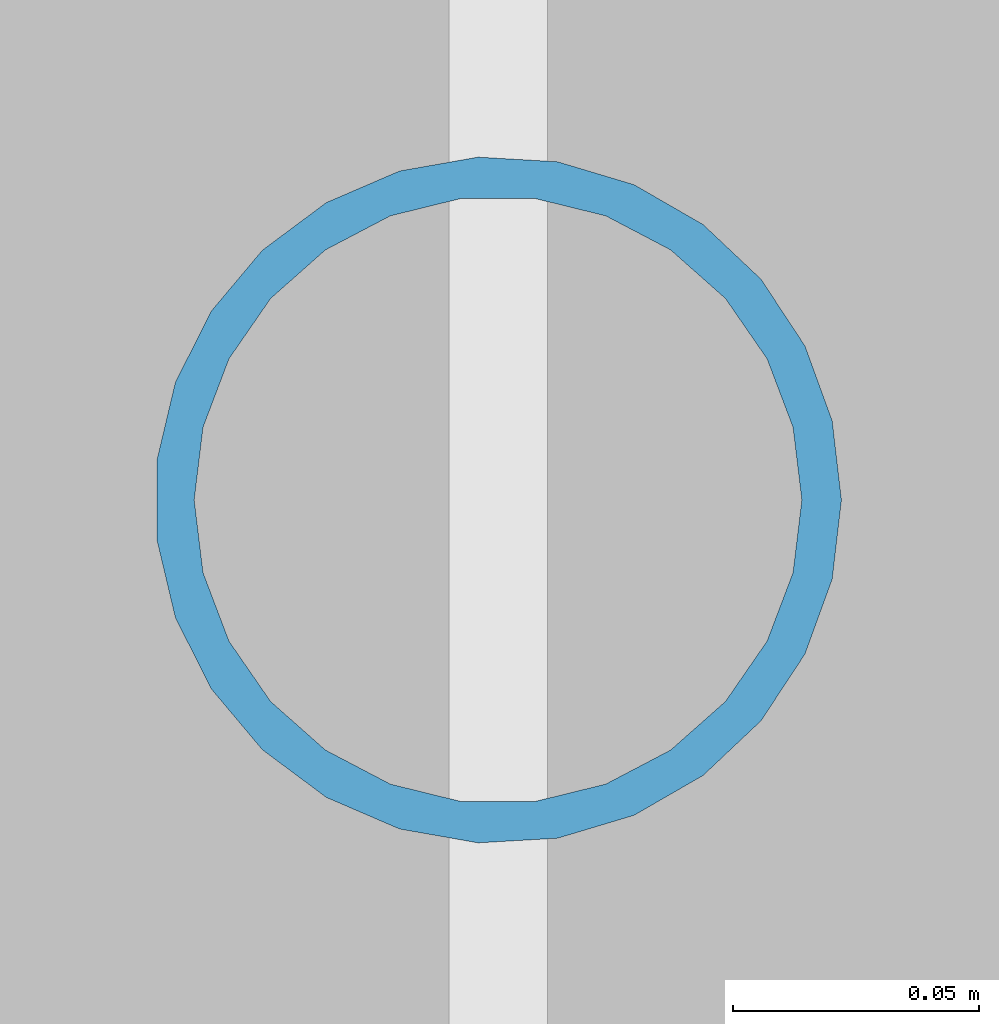
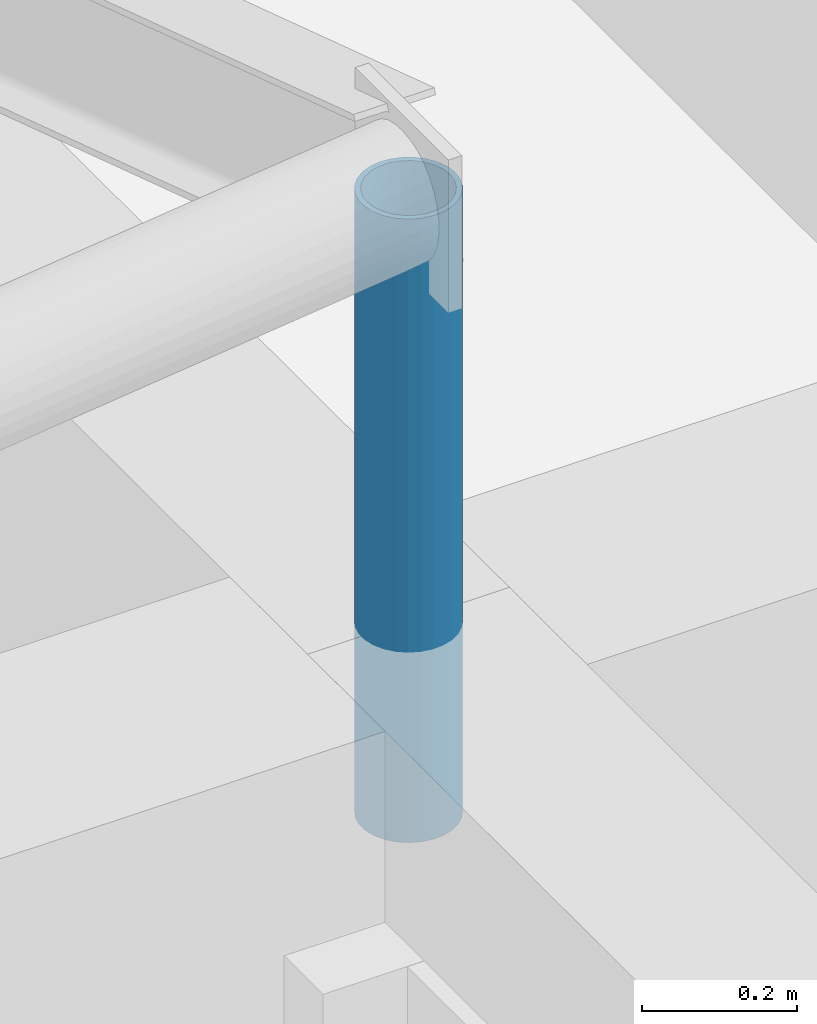
# One storey, part 28 of 39: 1 member.
"""IFC4 building model written with IfcOpenShell, lengths in metres."""

from ifc_helpers import new_model, si_unit, direction, frame, origin, origin_2d, place, context, subcontext, project, spatial, hollow_circle, extrude, material, material_profile, profile_set, type_object, element, save


model = new_model("IFC4")

# Units and contexts
model_context = context("Model", 3, precision=1e-05, world=origin(), true_north=direction((0.0, 1.0)))
body_context = subcontext(model_context, "Body", "Model", "MODEL_VIEW")
ifc_project = project(units=[si_unit("LENGTHUNIT", "METRE"), si_unit("AREAUNIT", "SQUARE_METRE"), si_unit("VOLUMEUNIT", "CUBIC_METRE"), si_unit("PLANEANGLEUNIT", "RADIAN"), si_unit("MASSUNIT", "GRAM", prefix="KILO")], contexts=[model_context])

# Site, building, storey
site_placement = place(None, origin())
site = spatial("IfcSite", under=ifc_project, at=site_placement, CompositionType="ELEMENT")
building_placement = place(site_placement, origin())
building = spatial("IfcBuilding", under=site, at=building_placement, Name="Akrevak Sports Hall", CompositionType="ELEMENT")
storey_placement = place(building_placement, frame((0.0, 0.0, 66.550048828125)))
storey = spatial("IfcBuildingStorey", under=building, at=storey_placement, Name="L17", CompositionType="ELEMENT", Elevation=66.550048828125)

# Member
ifc_material = material(Name="Steel S355", Category="steel")
ifc_material_profile = material_profile(ifc_material, hollow_circle(Radius=0.06982421875, WallThickness=0.008056640625, at=origin_2d()), Name="CHS 139.7x8", Category="steel")
ifc_profile_set = profile_set([ifc_material_profile], Name="Steel S355")
member_type = type_object("IfcMemberType", Name="STR-MEM-BRACE-CHS139", PredefinedType="BRACE", material=ifc_profile_set)
member_placement = place(storey_placement, frame((100.0, 62.39990234375, 2.949951171875), z_axis=(0.0, 0.0, 1.0), x_axis=(1.0, 0.0, 0.0)))
element("IfcMember", 1, at=member_placement, inside=storey, type_object=member_type, Name="Mansard Knee Post MANS-E-N-100", PredefinedType="BRACE", context=body_context, shape_type="SweptSolid", body=[
    extrude(hollow_circle(Radius=0.06982421875, WallThickness=0.008056640625, at=origin_2d()), origin(), (0.0, 0.0, 1.0), 0.97998046875),
])

save(model, "model.ifc")
